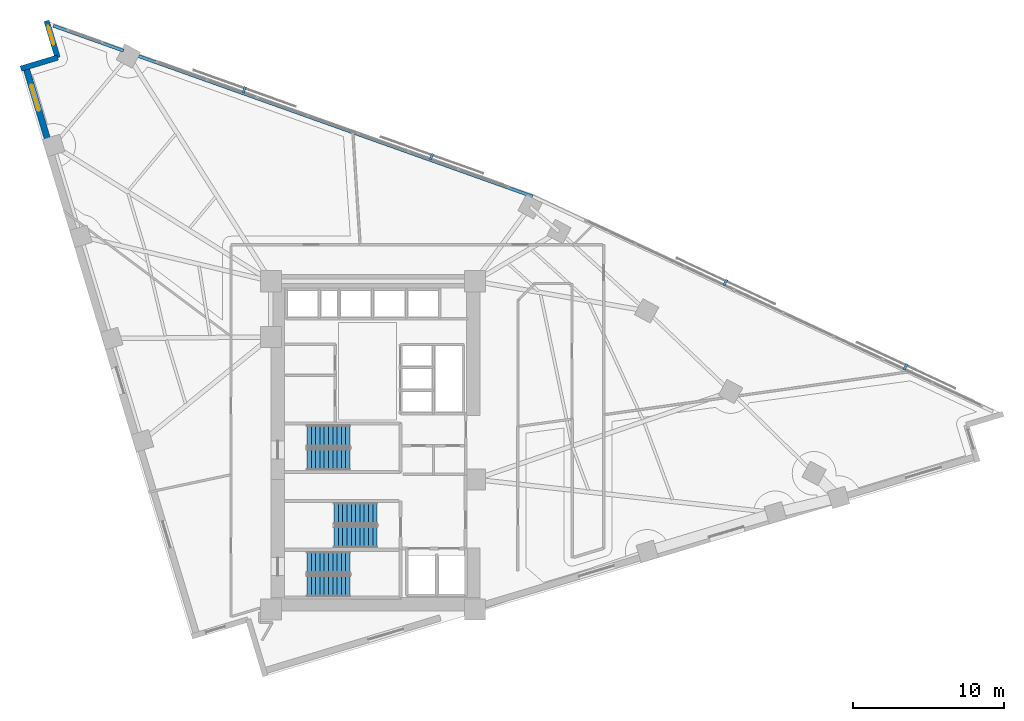
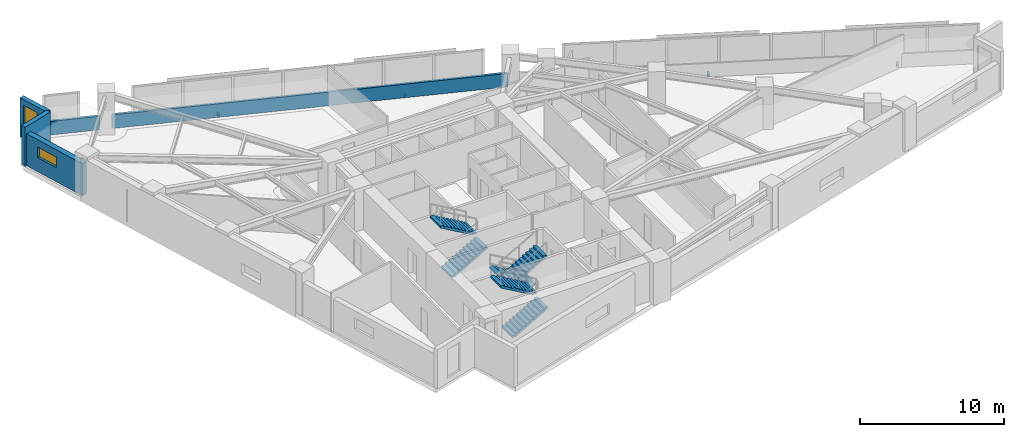
# One storey, part 14 of 16: 6 stair flights, 5 walls, 4 discrete accessories, 2 windows, 2 openings, 3 elements without a shape of their own.
"""IFC4 building model written with IfcOpenShell, lengths in metres."""

from ifc_helpers import new_model, si_unit, direction, frame, frame_2d, origin, origin_2d, place, context, subcontext, project, spatial, polyline, rectangle, outline, extrude, material, layer, layer_set, type_object, element, fill, aggregate, save


model = new_model("IFC4")

# Units and contexts
model_context = context("Model", 3, precision=1e-05, world=origin(), true_north=direction((0.0, 1.0)))
body_context = subcontext(model_context, "Body", "Model", "MODEL_VIEW")
ifc_project = project(units=[si_unit("LENGTHUNIT", "METRE"), si_unit("AREAUNIT", "SQUARE_METRE"), si_unit("VOLUMEUNIT", "CUBIC_METRE"), si_unit("PLANEANGLEUNIT", "RADIAN"), si_unit("MASSUNIT", "GRAM", prefix="KILO")], contexts=[model_context])

# Site, building, storey
site_placement = place(None, origin())
site = spatial("IfcSite", under=ifc_project, at=site_placement, CompositionType="ELEMENT")
building_placement = place(site_placement, origin())
building = spatial("IfcBuilding", under=site, at=building_placement, Name="Narakoshi Arena Tower", CompositionType="ELEMENT")
storey_placement = place(building_placement, frame((0.0, 0.0, 132.300048828125)))
storey = spatial("IfcBuildingStorey", under=building, at=storey_placement, Name="L35", CompositionType="ELEMENT", Elevation=132.300048828125)

# Walls
ifc_material_1 = material(Name="Precast concrete C45/55", Category="concrete")
ifc_layer_1 = layer(ifc_material_1, 0.25)
ifc_layer_set_1 = layer_set([ifc_layer_1], Name="Precast concrete C45/55")
wall_type_1 = type_object("IfcWallType", Name="WL-PARA-250", PredefinedType="PARAPET", material=ifc_layer_set_1)
wall_1_placement = place(storey_placement, frame((89.368408203125, 62.13037109375, 0.0), z_axis=(0.0, 0.0, 1.0), x_axis=(-0.942033439765, 0.335518998515, 0.0)))
element("IfcWall", 1, at=wall_1_placement, inside=storey, type_object=wall_type_1, Name="L35 Hypotenuse Sill Upstand Parapet 2-01", PredefinedType="PARAPET", context=body_context, shape_type="SweptSolid", body=[
    extrude(rectangle(XDim=27.969482421875, YDim=0.199951171875, at=frame_2d((13.98486328125, 0.0))), origin(), (0.0, 0.0, 1.0), 1.14990234375),
])
wall_2_placement = place(storey_placement, frame((62.2177734375, 71.800537109375, 0.0), z_axis=(0.0, 0.0, 1.0), x_axis=(-0.942038862895, 0.335503771655, 0.0)))
element("IfcWall", 2, at=wall_2_placement, inside=storey, type_object=wall_type_1, Name="L35 Hypotenuse Sill Upstand Parapet 2-02", PredefinedType="PARAPET", context=body_context, shape_type="SweptSolid", body=[
    extrude(rectangle(XDim=4.941650390625, YDim=0.199951171875, at=frame_2d((2.470703125, 0.0))), origin(), (0.0, 0.0, 1.0), 1.14990234375),
])

# Wall, opening, window
ifc_layer_2 = layer(ifc_material_1, 0.419921875)
ifc_layer_set_2 = layer_set([ifc_layer_2], Name="Precast concrete C45/55")
wall_type_2 = type_object("IfcWallType", Name="WL-POD-420", PredefinedType="SOLIDWALL", material=ifc_layer_set_2)
wall_3_placement = place(storey_placement, frame((55.734130859375, 70.71142578125, 0.0), z_axis=(0.0, 0.0, 1.0), x_axis=(0.288221590884, -0.957563739157, 0.0)))
wall_3 = element("IfcWall", 3, at=wall_3_placement, inside=storey, type_object=wall_type_2, Name="L35 Architectural Concrete Facade Wall LEGB-1", PredefinedType="SOLIDWALL", context=body_context, shape_type="SweptSolid", body=[
    extrude(rectangle(XDim=5.510986328125, YDim=0.419921875, at=frame_2d((2.75537109375, 0.0))), origin(), (0.0, 0.0, 1.0), 2.724853515625),
])
opening_1_placement = place(wall_3_placement, frame((1.223388671875, 0.0, 1.199951171875)))
opening_1 = element("IfcOpeningElement", 4, at=opening_1_placement, cuts=wall_3, Name="Opening WN-02", PredefinedType="OPENING", context=body_context, shape_type="SweptSolid", body=[
    extrude(rectangle(XDim=1.800048828125, YDim=0.89990234375, at=frame_2d((0.89990234375, 0.449951171875))), frame((0.0, 0.219970703125, 0.0), z_axis=(0.0, -1.0, 0.0), x_axis=(1.0, 0.0, 0.0)), (0.0, 0.0, 1.0), 0.43994140625),
])
ifc_material_2 = material(Name="Bronze-tinted low-E laminated glass", Category="glass")
window_type_1 = type_object("IfcWindowType", Name="WIN-SLT-18x09", PartitioningType="SINGLE_PANEL", PredefinedType="WINDOW", material=ifc_material_2)
window_1_placement = place(opening_1_placement, origin())
window_1 = element("IfcWindow", 5, at=window_1_placement, inside=storey, type_object=window_type_1, Name="L35 LEGB1 Horizontal Slot Window 1", OverallHeight=0.89990234375, OverallWidth=1.800048828125, PartitioningType="SINGLE_PANEL", PredefinedType="WINDOW", context=body_context, shape_type="SweptSolid", body=[
    extrude(rectangle(XDim=1.800048828125, YDim=0.89990234375, at=frame_2d((0.89990234375, 0.449951171875))), frame((0.0, 0.030029296875, 0.0), z_axis=(0.0, -1.0, 0.0), x_axis=(1.0, 0.0, 0.0)), (0.0, 0.0, 1.0), 0.06005859375),
])
fill(opening_1, window_1)

wall_4_placement = place(storey_placement, frame((57.107666015625, 73.790283203125, 0.0), z_axis=(0.0, 0.0, 1.0), x_axis=(0.288198985694, -0.957570542908, 0.0)))
wall_4 = element("IfcWall", 6, at=wall_4_placement, inside=storey, type_object=wall_type_2, Name="L35 Re-Entrant Corner Notch Wall NTN-1", PredefinedType="SOLIDWALL", context=body_context, shape_type="SweptSolid", body=[
    extrude(rectangle(XDim=2.552490234375, YDim=0.360107421875, at=frame_2d((1.2763671875, 0.0))), origin(), (0.0, 0.0, 1.0), 3.33984375),
])
opening_2_placement = place(wall_4_placement, frame((0.340087890625, 0.0, 0.449951171875)))
opening_2 = element("IfcOpeningElement", 7, at=opening_2_placement, cuts=wall_4, Name="Opening WN-06", PredefinedType="OPENING", context=body_context, shape_type="SweptSolid", body=[
    extrude(rectangle(XDim=1.300048828125, YDim=2.39990234375, at=frame_2d((0.64990234375, 1.199951171875))), frame((0.0, 0.18994140625, 0.0), z_axis=(0.0, -1.0, 0.0), x_axis=(1.0, 0.0, 0.0)), (0.0, 0.0, 1.0), 0.380126953125),
])
window_type_2 = type_object("IfcWindowType", Name="WIN-NTC-16x24", PartitioningType="SINGLE_PANEL", PredefinedType="WINDOW", material=ifc_material_2)
window_2_placement = place(opening_2_placement, origin())
window_2 = element("IfcWindow", 8, at=window_2_placement, inside=storey, type_object=window_type_2, Name="L35 Corner Notch Window NTN", OverallHeight=2.39990234375, OverallWidth=1.300048828125, PartitioningType="SINGLE_PANEL", PredefinedType="WINDOW", context=body_context, shape_type="SweptSolid", body=[
    extrude(rectangle(XDim=1.300048828125, YDim=2.39990234375, at=frame_2d((0.64990234375, 1.199951171875))), frame((0.0, 0.030029296875, 0.0), z_axis=(0.0, -1.0, 0.0), x_axis=(1.0, 0.0, 0.0)), (0.0, 0.0, 1.0), 0.06005859375),
])
fill(opening_2, window_2)

# Wall
wall_5_placement = place(storey_placement, frame((57.84326171875, 71.34619140625, 0.0), z_axis=(0.0, 0.0, 1.0), x_axis=(-0.95757848653, -0.288172590882, 0.0)))
element("IfcWall", 9, at=wall_5_placement, inside=storey, type_object=wall_type_2, Name="L35 Re-Entrant Corner Notch Wall NTN-2", PredefinedType="SOLIDWALL", context=body_context, shape_type="SweptSolid", body=[
    extrude(rectangle(XDim=2.552734375, YDim=0.360107421875, at=frame_2d((1.2763671875, 0.0))), origin(), (0.0, 0.0, 1.0), 3.33984375),
])

# Stair, stair flights
ifc_material_3 = material(Name="Concrete C45/55", Category="concrete")
stair_type = type_object("IfcStairType", Name="STR-CORE-360", PredefinedType="TWO_STRAIGHT_RUN_STAIR", material=ifc_material_3)
stair_1_placement = place(storey_placement, origin())
stair_1 = element("IfcStair", 10, at=stair_1_placement, inside=storey, type_object=stair_type, Name="L35 Core Escape Stair ST1", PredefinedType="TWO_STRAIGHT_RUN_STAIR")
stair_flight_type = type_object("IfcStairFlightType", Name="FLT-145-160", PredefinedType="STRAIGHT", material=ifc_material_1)
stair_flight_1_placement = place(storey_placement, frame((74.39990234375, 36.27490234375, 0.0), z_axis=(0.0, 0.0, 1.0), x_axis=(1.0, 0.0, 0.0)))
stair_flight_1 = element("IfcStairFlight", 11, at=stair_flight_1_placement, type_object=stair_flight_type, Name="ST1 flight 1", NumberOfRisers=11, NumberOfTreads=10, PredefinedType="STRAIGHT", RiserHeight=0.163636364, TreadLength=0.285, context=body_context, shape_type="SweptSolid", body=[
    extrude(outline(polyline([(0.0, 0.0), (0.0, 0.16357421875), (0.284912109375, 0.16357421875), (0.284912109375, 0.327392578125), (0.570068359375, 0.327392578125), (0.570068359375, 0.490966796875), (0.85498046875, 0.490966796875), (0.85498046875, 0.654541015625), (1.139892578125, 0.654541015625), (1.139892578125, 0.818115234375), (1.425048828125, 0.818115234375), (1.425048828125, 0.98193359375), (1.7099609375, 0.98193359375), (1.7099609375, 1.1455078125), (1.9951171875, 1.1455078125), (1.9951171875, 1.30908203125), (2.280029296875, 1.30908203125), (2.280029296875, 1.47265625), (2.56494140625, 1.47265625), (2.56494140625, 1.636474609375), (2.85009765625, 1.636474609375), (2.85009765625, 1.800048828125), (2.85009765625, 1.463623046875), (0.301025390625, 0.0), (0.0, 0.0)])), frame((0.0, 0.72509765625, 0.0), z_axis=(0.0, -1.0, 0.0), x_axis=(1.0, 0.0, 0.0)), (0.0, 0.0, 1.0), 1.449951171875),
])
stair_flight_2_placement = place(storey_placement, frame((77.25, 37.824951171875, 1.800048828125), z_axis=(0.0, 0.0, 1.0), x_axis=(-1.0, 0.0, 0.0)))
stair_flight_2 = element("IfcStairFlight", 12, at=stair_flight_2_placement, type_object=stair_flight_type, Name="ST1 flight 2", NumberOfRisers=11, NumberOfTreads=10, PredefinedType="STRAIGHT", RiserHeight=0.163636364, TreadLength=0.285, context=body_context, shape_type="SweptSolid", body=[
    extrude(outline(polyline([(0.0, 0.0), (0.0, 0.16357421875), (0.284912109375, 0.16357421875), (0.284912109375, 0.327392578125), (0.570068359375, 0.327392578125), (0.570068359375, 0.490966796875), (0.85498046875, 0.490966796875), (0.85498046875, 0.654541015625), (1.139892578125, 0.654541015625), (1.139892578125, 0.818115234375), (1.425048828125, 0.818115234375), (1.425048828125, 0.98193359375), (1.7099609375, 0.98193359375), (1.7099609375, 1.1455078125), (1.9951171875, 1.1455078125), (1.9951171875, 1.30908203125), (2.280029296875, 1.30908203125), (2.280029296875, 1.47265625), (2.56494140625, 1.47265625), (2.56494140625, 1.636474609375), (2.85009765625, 1.636474609375), (2.85009765625, 1.800048828125), (2.85009765625, 1.463623046875), (0.301025390625, 0.0), (0.0, 0.0)])), frame((0.0, 0.72509765625, 0.0), z_axis=(0.0, -1.0, 0.0), x_axis=(1.0, 0.0, 0.0)), (0.0, 0.0, 1.0), 1.449951171875),
])
aggregate(stair_1, [stair_flight_1, stair_flight_2])

stair_2_placement = place(storey_placement, origin())
stair_2 = element("IfcStair", 13, at=stair_2_placement, inside=storey, type_object=stair_type, Name="L35 Core Escape Stair ST2", PredefinedType="TWO_STRAIGHT_RUN_STAIR")
stair_flight_3_placement = place(storey_placement, frame((79.050048828125, 41.074951171875, 0.0), z_axis=(0.0, 0.0, 1.0), x_axis=(-1.0, 0.0, 0.0)))
stair_flight_3 = element("IfcStairFlight", 14, at=stair_flight_3_placement, type_object=stair_flight_type, Name="ST2 flight 1", NumberOfRisers=11, NumberOfTreads=10, PredefinedType="STRAIGHT", RiserHeight=0.163636364, TreadLength=0.285, context=body_context, shape_type="SweptSolid", body=[
    extrude(outline(polyline([(0.0, 0.0), (0.0, 0.16357421875), (0.284912109375, 0.16357421875), (0.284912109375, 0.327392578125), (0.570068359375, 0.327392578125), (0.570068359375, 0.490966796875), (0.85498046875, 0.490966796875), (0.85498046875, 0.654541015625), (1.139892578125, 0.654541015625), (1.139892578125, 0.818115234375), (1.425048828125, 0.818115234375), (1.425048828125, 0.98193359375), (1.7099609375, 0.98193359375), (1.7099609375, 1.1455078125), (1.9951171875, 1.1455078125), (1.9951171875, 1.30908203125), (2.280029296875, 1.30908203125), (2.280029296875, 1.47265625), (2.56494140625, 1.47265625), (2.56494140625, 1.636474609375), (2.85009765625, 1.636474609375), (2.85009765625, 1.800048828125), (2.85009765625, 1.463623046875), (0.301025390625, 0.0), (0.0, 0.0)])), frame((0.0, 0.72509765625, 0.0), z_axis=(0.0, -1.0, 0.0), x_axis=(1.0, 0.0, 0.0)), (0.0, 0.0, 1.0), 1.449951171875),
])
stair_flight_4_placement = place(storey_placement, frame((76.199951171875, 39.52490234375, 1.800048828125), z_axis=(0.0, 0.0, 1.0), x_axis=(1.0, 0.0, 0.0)))
stair_flight_4 = element("IfcStairFlight", 15, at=stair_flight_4_placement, type_object=stair_flight_type, Name="ST2 flight 2", NumberOfRisers=11, NumberOfTreads=10, PredefinedType="STRAIGHT", RiserHeight=0.163636364, TreadLength=0.285, context=body_context, shape_type="SweptSolid", body=[
    extrude(outline(polyline([(0.0, 0.0), (0.0, 0.16357421875), (0.284912109375, 0.16357421875), (0.284912109375, 0.327392578125), (0.570068359375, 0.327392578125), (0.570068359375, 0.490966796875), (0.85498046875, 0.490966796875), (0.85498046875, 0.654541015625), (1.139892578125, 0.654541015625), (1.139892578125, 0.818115234375), (1.425048828125, 0.818115234375), (1.425048828125, 0.98193359375), (1.7099609375, 0.98193359375), (1.7099609375, 1.1455078125), (1.9951171875, 1.1455078125), (1.9951171875, 1.30908203125), (2.280029296875, 1.30908203125), (2.280029296875, 1.47265625), (2.56494140625, 1.47265625), (2.56494140625, 1.636474609375), (2.85009765625, 1.636474609375), (2.85009765625, 1.800048828125), (2.85009765625, 1.463623046875), (0.301025390625, 0.0), (0.0, 0.0)])), frame((0.0, 0.72509765625, 0.0), z_axis=(0.0, -1.0, 0.0), x_axis=(1.0, 0.0, 0.0)), (0.0, 0.0, 1.0), 1.449951171875),
])
aggregate(stair_2, [stair_flight_3, stair_flight_4])

stair_3_placement = place(storey_placement, origin())
stair_3 = element("IfcStair", 16, at=stair_3_placement, inside=storey, type_object=stair_type, Name="L35 Core Escape Stair ST3", PredefinedType="TWO_STRAIGHT_RUN_STAIR")
stair_flight_5_placement = place(storey_placement, frame((74.39990234375, 44.675048828125, 0.0), z_axis=(0.0, 0.0, 1.0), x_axis=(1.0, 0.0, 0.0)))
stair_flight_5 = element("IfcStairFlight", 17, at=stair_flight_5_placement, type_object=stair_flight_type, Name="ST3 flight 1", NumberOfRisers=11, NumberOfTreads=10, PredefinedType="STRAIGHT", RiserHeight=0.163636364, TreadLength=0.285, context=body_context, shape_type="SweptSolid", body=[
    extrude(outline(polyline([(0.0, 0.0), (0.0, 0.16357421875), (0.284912109375, 0.16357421875), (0.284912109375, 0.327392578125), (0.570068359375, 0.327392578125), (0.570068359375, 0.490966796875), (0.85498046875, 0.490966796875), (0.85498046875, 0.654541015625), (1.139892578125, 0.654541015625), (1.139892578125, 0.818115234375), (1.425048828125, 0.818115234375), (1.425048828125, 0.98193359375), (1.7099609375, 0.98193359375), (1.7099609375, 1.1455078125), (1.9951171875, 1.1455078125), (1.9951171875, 1.30908203125), (2.280029296875, 1.30908203125), (2.280029296875, 1.47265625), (2.56494140625, 1.47265625), (2.56494140625, 1.636474609375), (2.85009765625, 1.636474609375), (2.85009765625, 1.800048828125), (2.85009765625, 1.463623046875), (0.301025390625, 0.0), (0.0, 0.0)])), frame((0.0, 0.72509765625, 0.0), z_axis=(0.0, -1.0, 0.0), x_axis=(1.0, 0.0, 0.0)), (0.0, 0.0, 1.0), 1.449951171875),
])
stair_flight_6_placement = place(storey_placement, frame((77.25, 46.22509765625, 1.800048828125), z_axis=(0.0, 0.0, 1.0), x_axis=(-1.0, 0.0, 0.0)))
stair_flight_6 = element("IfcStairFlight", 18, at=stair_flight_6_placement, type_object=stair_flight_type, Name="ST3 flight 2", NumberOfRisers=11, NumberOfTreads=10, PredefinedType="STRAIGHT", RiserHeight=0.163636364, TreadLength=0.285, context=body_context, shape_type="SweptSolid", body=[
    extrude(outline(polyline([(0.0, 0.0), (0.0, 0.16357421875), (0.284912109375, 0.16357421875), (0.284912109375, 0.327392578125), (0.570068359375, 0.327392578125), (0.570068359375, 0.490966796875), (0.85498046875, 0.490966796875), (0.85498046875, 0.654541015625), (1.139892578125, 0.654541015625), (1.139892578125, 0.818115234375), (1.425048828125, 0.818115234375), (1.425048828125, 0.98193359375), (1.7099609375, 0.98193359375), (1.7099609375, 1.1455078125), (1.9951171875, 1.1455078125), (1.9951171875, 1.30908203125), (2.280029296875, 1.30908203125), (2.280029296875, 1.47265625), (2.56494140625, 1.47265625), (2.56494140625, 1.636474609375), (2.85009765625, 1.636474609375), (2.85009765625, 1.800048828125), (2.85009765625, 1.463623046875), (0.301025390625, 0.0), (0.0, 0.0)])), frame((0.0, 0.72509765625, 0.0), z_axis=(0.0, -1.0, 0.0), x_axis=(1.0, 0.0, 0.0)), (0.0, 0.0, 1.0), 1.449951171875),
])
aggregate(stair_3, [stair_flight_5, stair_flight_6])

# Discrete accessories
ifc_material_4 = material(Name="Structural steel S355J2", Category="steel")
discrete_accessory_type = type_object("IfcDiscreteAccessoryType", Name="ACC-BRK-SCR", PredefinedType="BRACKET", material=ifc_material_4)
for number, where, z_axis, x_axis, name in (
    (19, (114.129150390625, 50.818115234375, -0.080078125), (0.0, 0.0, 1.0), (-0.9058795101, 0.423535492234, 0.0), "L35 Solar Screen Support Bracket SHD-L35-SCR1-1"),
    (20, (102.17138671875, 56.40869140625, -0.080078125), (0.0, 0.0, 1.0), (-0.9058795101, 0.423535492234, 0.0), "L35 Solar Screen Support Bracket SHD-L35-SCR1-2"),
    (21, (82.66650390625, 64.772216796875, -0.080078125), (0.0, 0.0, 1.0), (-0.942034031554, 0.33551733695, 0.0), "L35 Solar Screen Support Bracket SHD-L35-SCR2-1"),
    (22, (70.231689453125, 69.200927734375, -0.080078125), (0.0, 0.0, 1.0), (-0.942034031554, 0.33551733695, 0.0), "L35 Solar Screen Support Bracket SHD-L35-SCR2-2"),
):
    element("IfcDiscreteAccessory", number, at=place(storey_placement, frame(where, z_axis=z_axis, x_axis=x_axis)), inside=storey, type_object=discrete_accessory_type, Name=name, PredefinedType="BRACKET", context=body_context, shape_type="SweptSolid", body=[
        extrude(rectangle(XDim=0.159912109375, YDim=0.425048828125, at=origin_2d()), origin(), (0.0, 0.0, 1.0), 0.199951171875),
    ])

save(model, "model.ifc")
